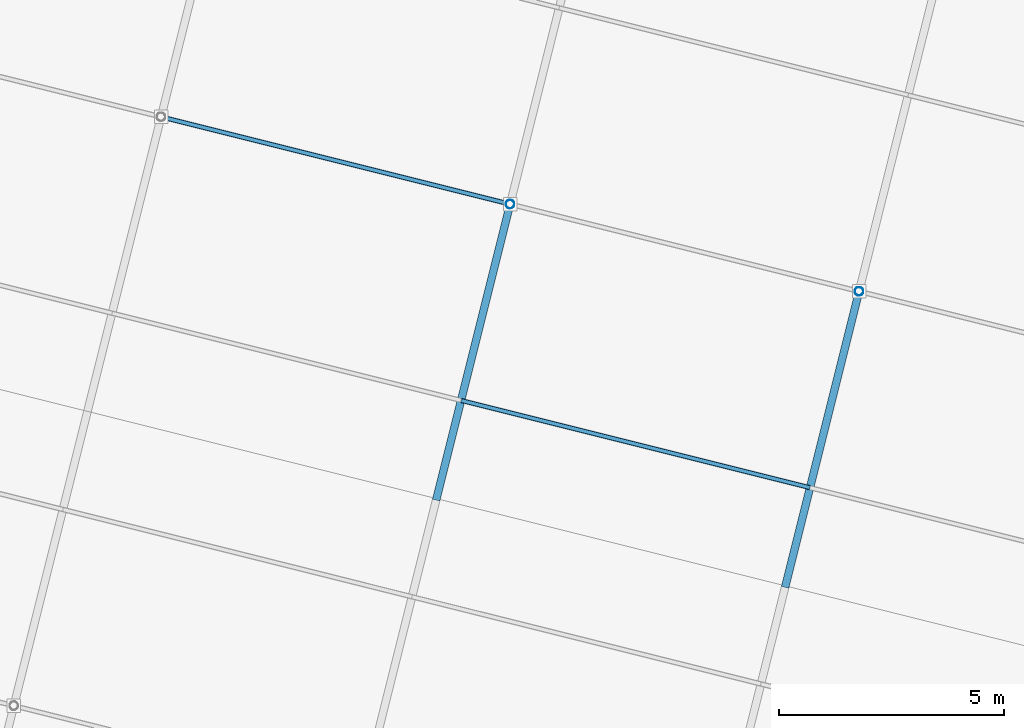
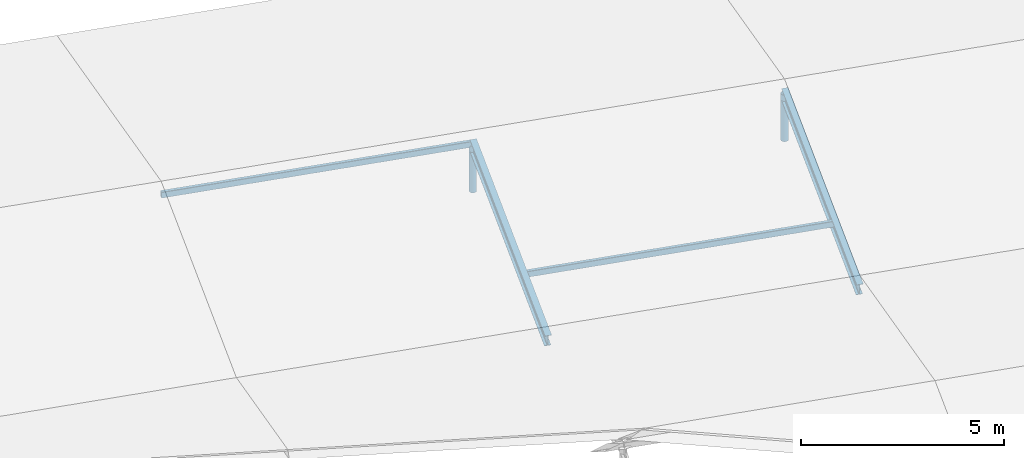
# One storey, part 65 of 107: 6 members.
"""IFC4 building model written with IfcOpenShell, lengths in metres."""

from ifc_helpers import new_model, si_unit, derived_unit, direction, frame, origin, origin_2d, place, context, subcontext, project, spatial, hollow_rectangle, hollow_circle, i_section, extrude, material, material_profile, profile_set, type_object, element, save


model = new_model("IFC4")

# Units and contexts
model_context = context("Model", 3, precision=1e-05, world=origin(), true_north=direction((0.0, 1.0)))
body_context = subcontext(model_context, "Body", "Model", "MODEL_VIEW")
ifc_project = project(units=[si_unit("LENGTHUNIT", "METRE"), si_unit("AREAUNIT", "SQUARE_METRE"), si_unit("VOLUMEUNIT", "CUBIC_METRE"), si_unit("PLANEANGLEUNIT", "RADIAN"), si_unit("MASSUNIT", "GRAM", prefix="KILO"), si_unit("THERMODYNAMICTEMPERATUREUNIT", "KELVIN"), si_unit("TIMEUNIT", "SECOND"), derived_unit("THERMALTRANSMITTANCEUNIT", [(si_unit("MASSUNIT", "GRAM", prefix="KILO"), 1), (si_unit("THERMODYNAMICTEMPERATUREUNIT", "KELVIN"), -1), (si_unit("TIMEUNIT", "SECOND"), -3)])], contexts=[model_context])

# Site, building, storey
site_placement = place(None, origin())
site = spatial("IfcSite", under=ifc_project, at=site_placement, CompositionType="ELEMENT")
building_placement = place(site_placement, origin())
building = spatial("IfcBuilding", under=site, at=building_placement, Name="Cambertide Market Hall", CompositionType="ELEMENT")
storey_placement = place(building_placement, frame((0.0, 0.0, 18.300048828125)))
storey = spatial("IfcBuildingStorey", under=building, at=storey_placement, Name="RF", CompositionType="ELEMENT", Elevation=18.300048828125)

# Members
ifc_material_1 = material(Name="Steel S355", Category="steel")
ifc_material_profile_1 = material_profile(ifc_material_1, i_section(OverallWidth=0.169921875, OverallDepth=0.360107421875, WebThickness=0.008056640625, FlangeThickness=0.0126953125, FilletRadius=0.01806640625, at=origin_2d()), Name="IPE 360")
ifc_profile_set_1 = profile_set([ifc_material_profile_1], Name="Steel S355")
member_type_1 = type_object("IfcMemberType", Name="Radial Fan Rafter IPE 360", PredefinedType="RAFTER", material=ifc_profile_set_1)
for number, where, z_axis, x_axis, name in (
    (1, (150.079833984375, 103.3955078125, -0.3701171875), (0.2376832779, 0.950662224848, 0.199368988695), (-0.970138244761, 0.242552645939, 0.0), "RAF-V4-6-3"),
    (2, (157.841064453125, 101.455322265625, -0.3701171875), (0.2376832779, 0.950662224848, 0.199368988695), (-0.970138244761, 0.242552645939, 0.0), "RAF-V4-7-3"),
):
    element("IfcMember", number, at=place(storey_placement, frame(where, z_axis=z_axis, x_axis=x_axis)), inside=storey, type_object=member_type_1, Name=name, PredefinedType="RAFTER", context=body_context, shape_type="SweptSolid", body=[
        extrude(i_section(OverallWidth=0.169921875, OverallDepth=0.360107421875, WebThickness=0.008056640625, FlangeThickness=0.0126953125, FilletRadius=0.01806640625, at=origin_2d()), origin(), (0.0, 0.0, 1.0), 6.88818359375),
    ])
ifc_material_2 = material(Name="Steel S275", Category="steel")
ifc_material_profile_2 = material_profile(ifc_material_2, hollow_rectangle(XDim=0.10009765625, YDim=0.179931640625, WallThickness=0.00634765625, InnerFilletRadius=0.00634765625, OuterFilletRadius=0.0126953125, at=origin_2d()), Name="RHS 180x100x6.3")
ifc_profile_set_2 = profile_set([ifc_material_profile_2], Name="Steel S275")
member_type_2 = type_object("IfcMemberType", Name="Roof Purlin RHS 180x100x6.3", PredefinedType="PURLIN", material=ifc_profile_set_2)
member_1_placement = place(storey_placement, frame((143.955810546875, 111.88427734375, 1.033203125), z_axis=(0.970138909791, -0.242549986002, 0.0), x_axis=(0.242549986002, 0.970138909791, 0.0)))
element("IfcMember", 3, at=member_1_placement, inside=storey, type_object=member_type_2, Name="PUR-V4-5-202", PredefinedType="PURLIN", context=body_context, shape_type="SweptSolid", body=[
    extrude(hollow_rectangle(XDim=0.10009765625, YDim=0.179931640625, WallThickness=0.00634765625, InnerFilletRadius=0.00634765625, OuterFilletRadius=0.0126953125, at=origin_2d()), origin(), (0.0, 0.0, 1.0), 8.000244140625),
])
member_2_placement = place(storey_placement, frame((150.625732421875, 105.578369140625, 0.11767578125), z_axis=(0.970137114374, -0.242557167103, 0.0), x_axis=(0.242557167103, 0.970137114374, 0.0)))
element("IfcMember", 4, at=member_2_placement, inside=storey, type_object=member_type_2, Name="PUR-V4-6-157", PredefinedType="PURLIN", context=body_context, shape_type="SweptSolid", body=[
    extrude(hollow_rectangle(XDim=0.10009765625, YDim=0.179931640625, WallThickness=0.00634765625, InnerFilletRadius=0.00634765625, OuterFilletRadius=0.0126953125, at=origin_2d()), origin(), (0.0, 0.0, 1.0), 8.0),
])
ifc_material_3 = material(Name="Steel S355", Category="steel")
ifc_material_profile_3 = material_profile(ifc_material_3, hollow_circle(Radius=0.096923828125, WallThickness=0.00634765625, at=origin_2d()), Name="CHS 193.7x6.3")
ifc_profile_set_3 = profile_set([ifc_material_profile_3], Name="Steel S355")
member_type_3 = type_object("IfcMemberType", Name="Structural Brace CHS 193.7x6.3", PredefinedType="BRACE", material=ifc_profile_set_3)
for number, where, z_axis, x_axis, name in (
    (5, (151.717041015625, 109.94384765625, -0.400146484375), (0.0, 0.0, 1.0), (1.0, 0.0, 0.0), "KP-V4-6-202"),
    (6, (159.478271484375, 108.003662109375, -0.400146484375), (0.0, 0.0, 1.0), (1.0, 0.0, 0.0), "KP-V4-7-202"),
):
    element("IfcMember", number, at=place(storey_placement, frame(where, z_axis=z_axis, x_axis=x_axis)), inside=storey, type_object=member_type_3, Name=name, PredefinedType="BRACE", context=body_context, shape_type="SweptSolid", body=[
        extrude(hollow_circle(Radius=0.096923828125, WallThickness=0.00634765625, at=origin_2d()), origin(), (0.0, 0.0, 1.0), 1.4033203125),
    ])

save(model, "model.ifc")
